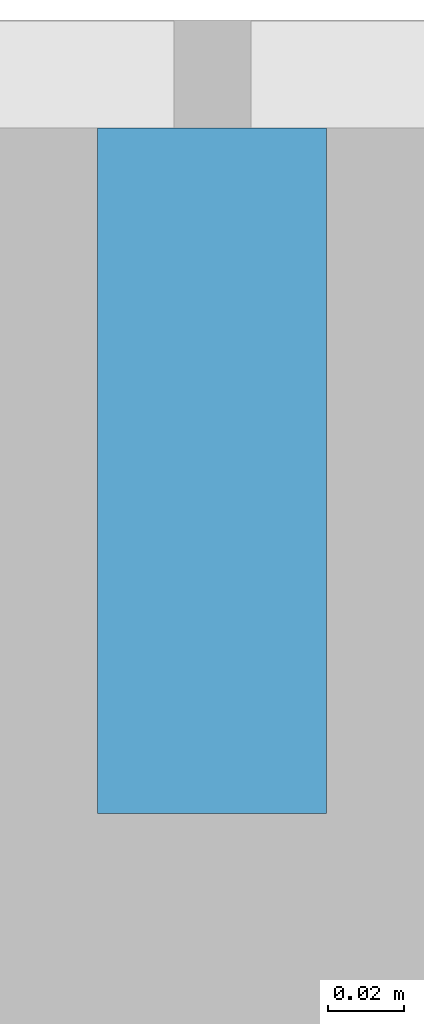
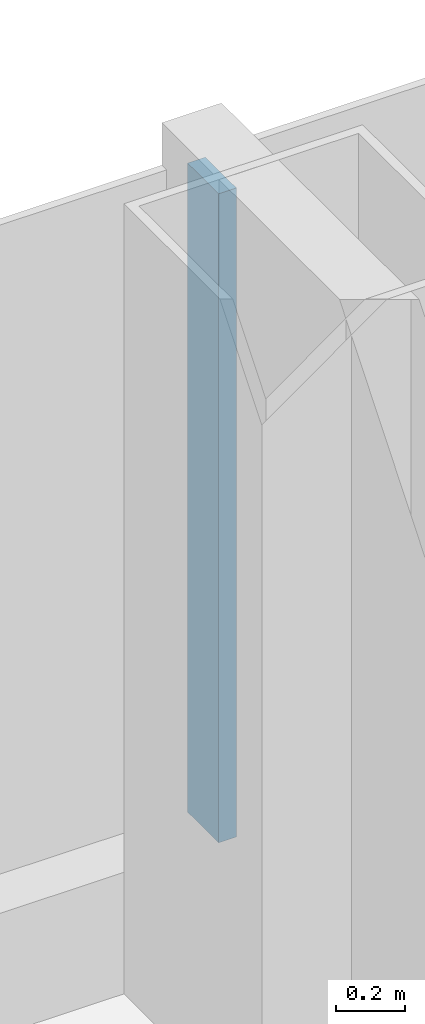
# One storey, part 10 of 29: 1 member, 1 element without a shape of its own.
"""IFC4 building model written with IfcOpenShell, lengths in metres."""

from ifc_helpers import new_model, si_unit, direction, frame, origin, origin_2d, place, context, subcontext, project, spatial, rectangle, extrude, material, layer, layer_set, material_profile, profile_set, type_object, element, aggregate, save


model = new_model("IFC4")

# Units and contexts
model_context = context("Model", 3, precision=1e-05, world=origin(), true_north=direction((0.0, 1.0)))
body_context = subcontext(model_context, "Body", "Model", "MODEL_VIEW")
ifc_project = project(units=[si_unit("LENGTHUNIT", "METRE"), si_unit("AREAUNIT", "SQUARE_METRE"), si_unit("VOLUMEUNIT", "CUBIC_METRE"), si_unit("PLANEANGLEUNIT", "RADIAN"), si_unit("MASSUNIT", "GRAM", prefix="KILO")], contexts=[model_context])

# Site, building, storey
site_placement = place(None, origin())
site = spatial("IfcSite", under=ifc_project, at=site_placement, CompositionType="ELEMENT")
building_placement = place(site_placement, origin())
building = spatial("IfcBuilding", under=site, at=building_placement, Name="Hakoniwa Tower and Hamabe Station Hall", CompositionType="ELEMENT")
storey_placement = place(building_placement, frame((0.0, 0.0, 97.800048828125)))
storey = spatial("IfcBuildingStorey", under=building, at=storey_placement, Name="L27", CompositionType="ELEMENT", Elevation=97.800048828125)

# Curtain wall, member
ifc_material_1 = material(Name="Dark low-e laminated glass", Category="glass")
ifc_layer = layer(ifc_material_1, 0.199951171875)
ifc_layer_set = layer_set([ifc_layer], Name="CW-1 UNITISED GUEST")
curtain_wall_type = type_object("IfcCurtainWallType", Name="CW-1 UNITISED GUEST", PredefinedType="NOTDEFINED", material=ifc_layer_set)
curtain_wall_placement = place(storey_placement, origin())
curtain_wall = element("IfcCurtainWall", 1, at=curtain_wall_placement, inside=storey, type_object=curtain_wall_type, Name="CW-1 curtain wall", PredefinedType="NOTDEFINED")
ifc_material_2 = material(Name="Aluminium 6063-T5 black anodised", Category="aluminium")
ifc_material_profile = material_profile(ifc_material_2, rectangle(XDim=0.06005859375, YDim=0.179931640625, at=origin_2d()), Name="CW-1 MULLION 60X180")
ifc_profile_set = profile_set([ifc_material_profile], Name="Aluminium 6063-T5 black anodised")
member_type = type_object("IfcMemberType", Name="CW-1 MULLION 60X180", PredefinedType="MULLION", material=ifc_profile_set)
member_placement = place(storey_placement, frame((8.39990234375, 23.431884765625, 0.349853515625), z_axis=(0.0, 0.0, 1.0), x_axis=(-1.0, 0.0, 0.0)))
member = element("IfcMember", 2, at=member_placement, type_object=member_type, Name="CW-1 mullion", PredefinedType="MULLION", context=body_context, shape_type="SweptSolid", body=[
    extrude(rectangle(XDim=0.06005859375, YDim=0.179931640625, at=origin_2d()), origin(), (0.0, 0.0, 1.0), 2.300048828125),
])
aggregate(curtain_wall, [member])

save(model, "model.ifc")
